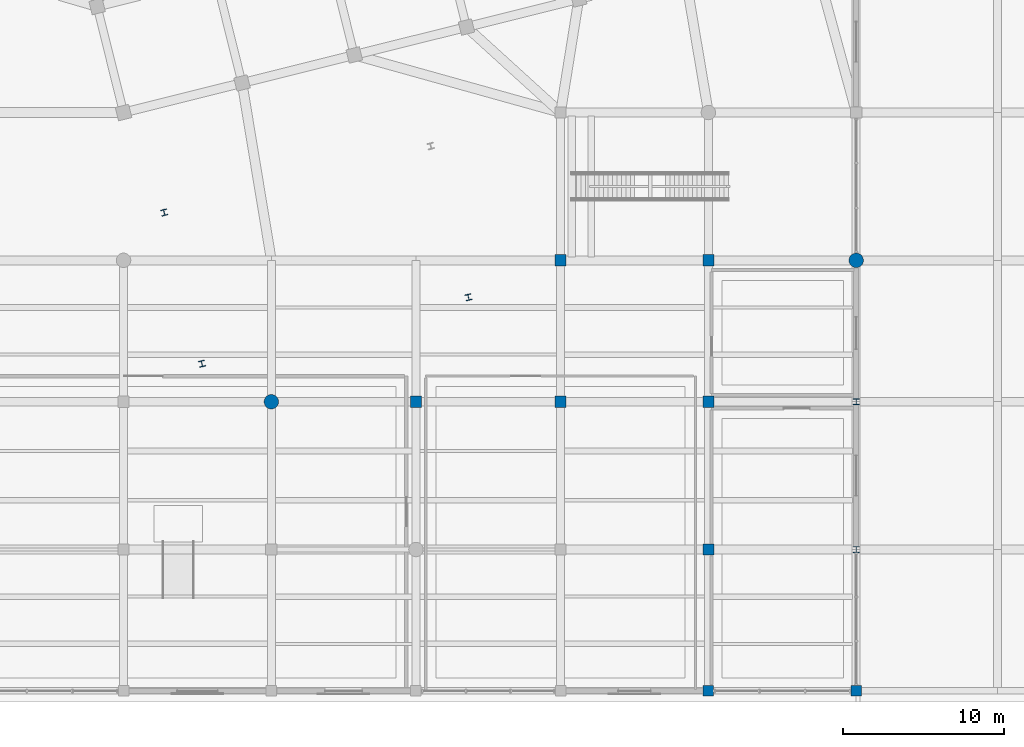
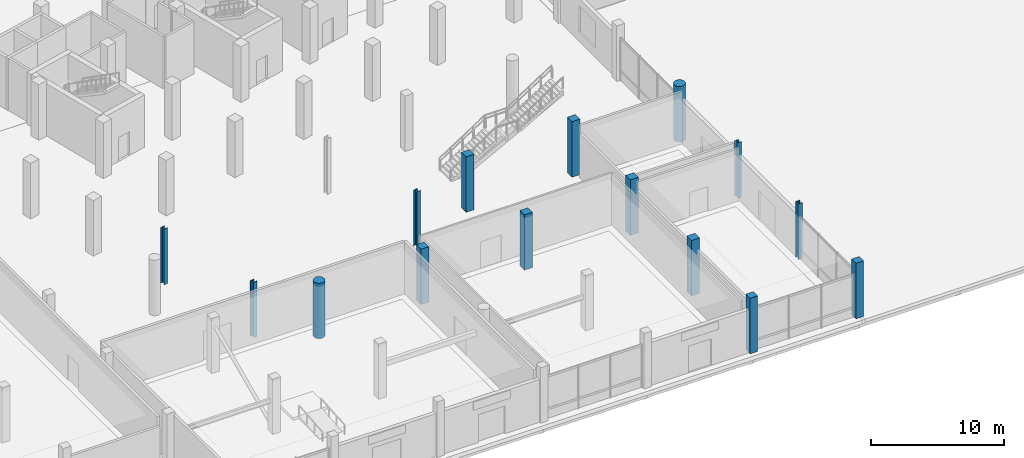
# One storey, part 4 of 73: 15 columns.
"""IFC4 building model written with IfcOpenShell, lengths in metres."""

from ifc_helpers import new_model, si_unit, direction, frame, origin, origin_2d, place, context, subcontext, project, spatial, rectangle, circle, i_section, extrude, material, material_profile, profile_set, type_object, element, save


model = new_model("IFC4")

# Units and contexts
model_context = context("Model", 3, precision=1e-05, world=origin(), true_north=direction((0.0, 1.0)))
body_context = subcontext(model_context, "Body", "Model", "MODEL_VIEW")
ifc_project = project(units=[si_unit("LENGTHUNIT", "METRE"), si_unit("AREAUNIT", "SQUARE_METRE"), si_unit("VOLUMEUNIT", "CUBIC_METRE"), si_unit("PLANEANGLEUNIT", "RADIAN"), si_unit("MASSUNIT", "GRAM", prefix="KILO")], contexts=[model_context])

# Site, building, storey
site_placement = place(None, origin())
site = spatial("IfcSite", under=ifc_project, at=site_placement, CompositionType="ELEMENT")
building_placement = place(site_placement, origin())
building = spatial("IfcBuilding", under=site, at=building_placement, Name="Meriwether Solvik Hall", CompositionType="ELEMENT")
storey_placement = place(building_placement, origin())
storey = spatial("IfcBuildingStorey", under=building, at=storey_placement, Name="L00", CompositionType="ELEMENT", Elevation=0.0)

# Columns
ifc_material_1 = material(Name="Concrete C40/50", Category="concrete")
ifc_material_profile_1 = material_profile(ifc_material_1, rectangle(XDim=0.64990234375, YDim=0.64990234375, at=origin_2d()), Name="RCC-650X650")
ifc_profile_set_1 = profile_set([ifc_material_profile_1], Name="Concrete C40/50")
column_type_1 = type_object("IfcColumnType", Name="COL-RC-650", PredefinedType="COLUMN", material=ifc_profile_set_1)
for number, where, z_axis, x_axis, name in (
    (1, (105.0, 5.199951171875, 0.0), (0.0, 0.0, 1.0), (1.0, 0.0, 0.0), "Podium Column 12/A (L00)"),
    (2, (114.199951171875, 5.199951171875, 0.0), (0.0, 0.0, 1.0), (1.0, 0.0, 0.0), "Podium Column 13/A (L00)"),
):
    element("IfcColumn", number, at=place(storey_placement, frame(where, z_axis=z_axis, x_axis=x_axis)), inside=storey, type_object=column_type_1, Name=name, PredefinedType="COLUMN", context=body_context, shape_type="SweptSolid", body=[
        extrude(rectangle(XDim=0.64990234375, YDim=0.64990234375, at=origin_2d()), origin(), (0.0, 0.0, 1.0), 5.10009765625),
    ])
ifc_material_2 = material(Name="Concrete C40/50", Category="concrete")
ifc_material_profile_2 = material_profile(ifc_material_2, rectangle(XDim=0.699951171875, YDim=0.699951171875, at=origin_2d()), Name="RCC-700X700")
ifc_profile_set_2 = profile_set([ifc_material_profile_2], Name="Concrete C40/50")
column_type_2 = type_object("IfcColumnType", Name="COL-RC-700", PredefinedType="COLUMN", material=ifc_profile_set_2)
for number, where, z_axis, x_axis, name in (
    (3, (86.800048828125, 23.199951171875, 0.0), (0.0, 0.0, 1.0), (1.0, 0.0, 0.0), "Podium Column 10/C (L00)"),
    (4, (95.800048828125, 23.199951171875, 0.0), (0.0, 0.0, 1.0), (1.0, 0.0, 0.0), "Podium Column 11/C (L00)"),
    (5, (95.800048828125, 32.0, 0.0), (0.0, 0.0, 1.0), (1.0, 0.0, 0.0), "Podium Column 11/D (L00)"),
    (6, (105.0, 14.0, 0.0), (0.0, 0.0, 1.0), (1.0, 0.0, 0.0), "Podium Column 12/B (L00)"),
    (7, (105.0, 23.199951171875, 0.0), (0.0, 0.0, 1.0), (1.0, 0.0, 0.0), "Podium Column 12/C (L00)"),
    (8, (105.0, 32.0, 0.0), (0.0, 0.0, 1.0), (1.0, 0.0, 0.0), "Podium Column 12/D (L00)"),
):
    element("IfcColumn", number, at=place(storey_placement, frame(where, z_axis=z_axis, x_axis=x_axis)), inside=storey, type_object=column_type_2, Name=name, PredefinedType="COLUMN", context=body_context, shape_type="SweptSolid", body=[
        extrude(rectangle(XDim=0.699951171875, YDim=0.699951171875, at=origin_2d()), origin(), (0.0, 0.0, 1.0), 5.10009765625),
    ])
ifc_material_3 = material(Name="Concrete C40/50", Category="concrete")
ifc_material_profile_3 = material_profile(ifc_material_3, circle(Radius=0.449951171875, at=origin_2d()), Name="RCC-D900")
ifc_profile_set_3 = profile_set([ifc_material_profile_3], Name="Concrete C40/50")
column_type_3 = type_object("IfcColumnType", Name="COL-RC-D900", PredefinedType="COLUMN", material=ifc_profile_set_3)
for number, where, z_axis, x_axis, name in (
    (9, (77.800048828125, 23.199951171875, 0.0), (0.0, 0.0, 1.0), (1.0, 0.0, 0.0), "Podium Column 9/C (L00)"),
    (10, (114.199951171875, 32.0, 0.0), (0.0, 0.0, 1.0), (1.0, 0.0, 0.0), "Podium Column 13/D (L00)"),
):
    element("IfcColumn", number, at=place(storey_placement, frame(where, z_axis=z_axis, x_axis=x_axis)), inside=storey, type_object=column_type_3, Name=name, PredefinedType="COLUMN", context=body_context, shape_type="SweptSolid", body=[
        extrude(circle(Radius=0.449951171875, at=origin_2d()), origin(), (0.0, 0.0, 1.0), 5.10009765625),
    ])
ifc_material_4 = material(Name="Steel A992 Grade 50", Category="steel")
ifc_material_profile_4 = material_profile(ifc_material_4, i_section(OverallWidth=0.3740234375, OverallDepth=0.3720703125, WebThickness=0.016357421875, FlangeThickness=0.026123046875, at=origin_2d()), Name="W14X132")
ifc_profile_set_4 = profile_set([ifc_material_profile_4], Name="Steel A992 Grade 50")
column_type_4 = type_object("IfcColumnType", Name="COL-STL-W14X132", PredefinedType="COLUMN", material=ifc_profile_set_4)
for number, where, z_axis, x_axis, name in (
    (11, (114.199951171875, 14.0, 0.0), (0.0, 0.0, 1.0), (1.0, 0.0, 0.0), "Podium Column 13/B (L00)"),
    (12, (114.199951171875, 23.199951171875, 0.0), (0.0, 0.0, 1.0), (1.0, 0.0, 0.0), "Podium Column 13/C (L00)"),
    (13, (73.477294921875, 25.5654296875, 0.0), (0.0, 0.0, 1.0), (0.970295726276, 0.2419218956, 0.0), "Atrium Cleft Corner Column SW (L00)"),
    (14, (90.0693359375, 29.702392578125, 0.0), (0.0, 0.0, 1.0), (0.970295726276, 0.2419218956, 0.0), "Atrium Cleft Corner Column SE (L00)"),
    (15, (71.130615234375, 34.977294921875, 0.0), (0.0, 0.0, 1.0), (0.970295726276, 0.2419218956, 0.0), "Atrium Cleft Corner Column NW (L00)"),
):
    element("IfcColumn", number, at=place(storey_placement, frame(where, z_axis=z_axis, x_axis=x_axis)), inside=storey, type_object=column_type_4, Name=name, PredefinedType="COLUMN", context=body_context, shape_type="SweptSolid", body=[
        extrude(i_section(OverallWidth=0.3740234375, OverallDepth=0.3720703125, WebThickness=0.016357421875, FlangeThickness=0.026123046875, at=origin_2d()), origin(), (0.0, 0.0, 1.0), 5.10009765625),
    ])

save(model, "model.ifc")
